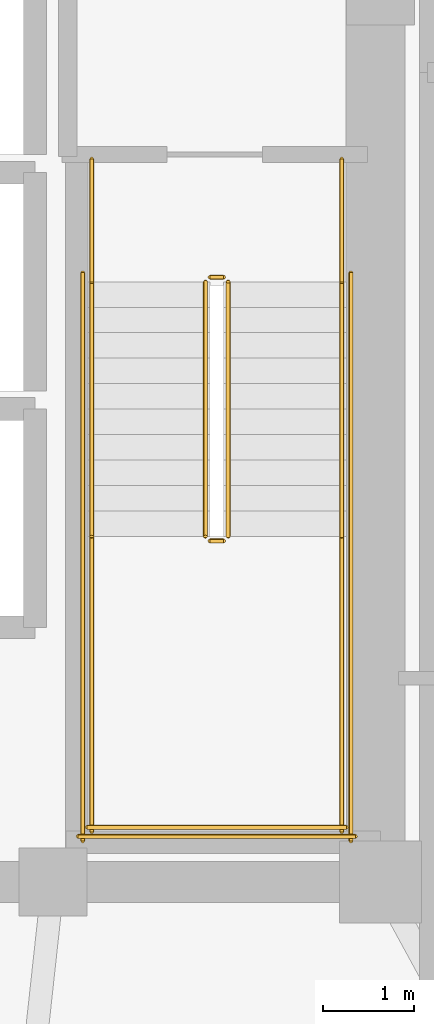
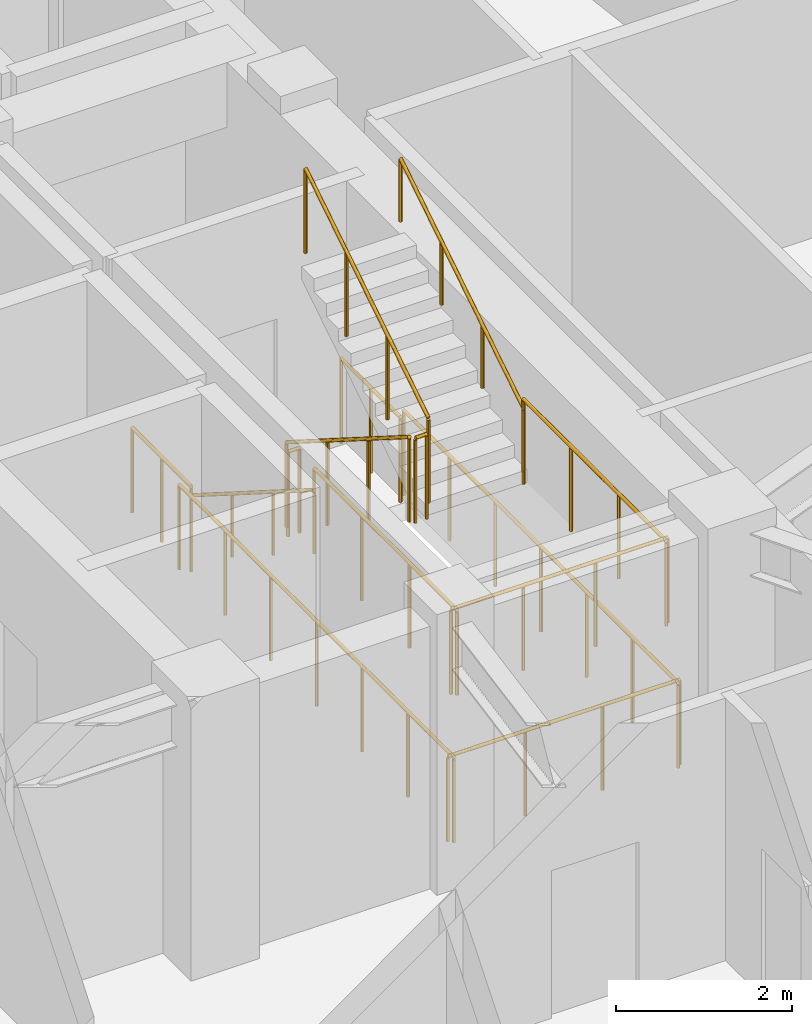
# One storey, part 11 of 11: 14 railings.
"""IFC4 building model written with IfcOpenShell, lengths in metres."""

from ifc_helpers import new_model, si_unit, direction, frame, origin, origin_2d, place, context, subcontext, project, spatial, circle, extrude, material, type_object, element, save


model = new_model("IFC4")

# Units and contexts
model_context = context("Model", 3, precision=1e-05, world=origin(), true_north=direction((0.0, 1.0)))
body_context = subcontext(model_context, "Body", "Model", "MODEL_VIEW")
ifc_project = project(units=[si_unit("LENGTHUNIT", "METRE"), si_unit("AREAUNIT", "SQUARE_METRE"), si_unit("VOLUMEUNIT", "CUBIC_METRE"), si_unit("PLANEANGLEUNIT", "RADIAN"), si_unit("MASSUNIT", "GRAM", prefix="KILO")], contexts=[model_context])

# Site, building, storey
site_placement = place(None, origin())
site = spatial("IfcSite", under=ifc_project, at=site_placement, CompositionType="ELEMENT")
building_placement = place(site_placement, origin())
building = spatial("IfcBuilding", under=site, at=building_placement, Name="Voryun Gate Residences", CompositionType="ELEMENT")
storey_placement = place(building_placement, frame((0.0, 0.0, 156.0)))
storey = spatial("IfcBuildingStorey", under=building, at=storey_placement, Name="L38", CompositionType="ELEMENT", Elevation=156.0)

# Railings
ifc_material_1 = material(Name="Painted steel", Category="steel")
railing_type_1 = type_object("IfcRailingType", Name="RAIL_STAIR_GUARD_1200", PredefinedType="GUARDRAIL", material=ifc_material_1)
railing_1_placement = place(storey_placement, frame((17.27490234375, -0.800048828125, 0.17724609375)))
element("IfcRailing", 1, at=railing_1_placement, inside=storey, type_object=railing_type_1, Name="L38 ST-E1 stair guard 1", PredefinedType="GUARDRAIL", context=body_context, shape_type="SweptSolid", body=[
    extrude(circle(Radius=0.02392578125, at=origin_2d()), frame((0.0, 0.0, 1.17578125), z_axis=(0.0, -0.844908973607, 0.534910110503), x_axis=(1.0, 0.0, 0.0)), (0.0, 0.0, 1.0), 3.31396484375),
    extrude(circle(Radius=0.02099609375, at=origin_2d()), origin(), (0.0, 0.0, 1.0), 1.15185546875),
    extrude(circle(Radius=0.02099609375, at=origin_2d()), frame((0.0, -0.933349609375, 0.5908203125)), (0.0, 0.0, 1.0), 1.15185546875),
    extrude(circle(Radius=0.02099609375, at=origin_2d()), frame((0.0, -1.86669921875, 1.181884765625)), (0.0, 0.0, 1.0), 1.15185546875),
    extrude(circle(Radius=0.02099609375, at=origin_2d()), frame((0.0, -2.800048828125, 1.772705078125)), (0.0, 0.0, 1.0), 1.15185546875),
])
railing_2_placement = place(storey_placement, frame((17.324951171875, -3.64990234375, 1.949951171875)))
element("IfcRailing", 2, at=railing_2_placement, inside=storey, type_object=railing_type_1, Name="L38 ST-E1 stair guard 2", PredefinedType="GUARDRAIL", context=body_context, shape_type="SweptSolid", body=[
    extrude(circle(Radius=0.02392578125, at=origin_2d()), frame((0.0, 0.0, 1.17578125), z_axis=(1.0, 0.0, 0.0), x_axis=(0.0, 1.0, 0.0)), (0.0, 0.0, 1.0), 0.150146484375),
    extrude(circle(Radius=0.02099609375, at=origin_2d()), origin(), (0.0, 0.0, 1.0), 1.15185546875),
    extrude(circle(Radius=0.02099609375, at=origin_2d()), frame((0.150146484375, 0.0, 0.0)), (0.0, 0.0, 1.0), 1.15185546875),
])
for number, where, name in (
    (3, (16.02490234375, -3.60009765625, 1.949951171875), "L38 ST-E1 stair guard 3"),
    (4, (18.77490234375, -3.60009765625, 1.949951171875), "L38 ST-E1 stair guard 4"),
):
    element("IfcRailing", number, at=place(storey_placement, frame(where)), inside=storey, type_object=railing_type_1, Name=name, PredefinedType="GUARDRAIL", context=body_context, shape_type="SweptSolid", body=[
        extrude(circle(Radius=0.02392578125, at=origin_2d()), frame((0.0, 0.0, 1.17578125), z_axis=(0.0, -1.0, 0.0), x_axis=(1.0, 0.0, 0.0)), (0.0, 0.0, 1.0), 3.25),
        extrude(circle(Radius=0.02099609375, at=origin_2d()), origin(), (0.0, 0.0, 1.0), 1.15185546875),
        extrude(circle(Radius=0.02099609375, at=origin_2d()), frame((0.0, -1.083251953125, 0.0)), (0.0, 0.0, 1.0), 1.15185546875),
        extrude(circle(Radius=0.02099609375, at=origin_2d()), frame((0.0, -2.166748046875, 0.0)), (0.0, 0.0, 1.0), 1.15185546875),
        extrude(circle(Radius=0.02099609375, at=origin_2d()), frame((0.0, -3.25, 0.0)), (0.0, 0.0, 1.0), 1.15185546875),
    ])
railing_3_placement = place(storey_placement, frame((15.97509765625, -6.800048828125, 1.949951171875)))
element("IfcRailing", 5, at=railing_3_placement, inside=storey, type_object=railing_type_1, Name="L38 ST-E1 stair guard 5", PredefinedType="GUARDRAIL", context=body_context, shape_type="SweptSolid", body=[
    extrude(circle(Radius=0.02392578125, at=origin_2d()), frame((0.0, 0.0, 1.17578125), z_axis=(1.0, 0.0, 0.0), x_axis=(0.0, 1.0, 0.0)), (0.0, 0.0, 1.0), 2.849853515625),
    extrude(circle(Radius=0.02099609375, at=origin_2d()), origin(), (0.0, 0.0, 1.0), 1.15185546875),
    extrude(circle(Radius=0.02099609375, at=origin_2d()), frame((0.949951171875, 0.0, 0.0)), (0.0, 0.0, 1.0), 1.15185546875),
    extrude(circle(Radius=0.02099609375, at=origin_2d()), frame((1.89990234375, 0.0, 0.0)), (0.0, 0.0, 1.0), 1.15185546875),
    extrude(circle(Radius=0.02099609375, at=origin_2d()), frame((2.849853515625, 0.0, 0.0)), (0.0, 0.0, 1.0), 1.15185546875),
])
railing_4_placement = place(storey_placement, frame((17.52490234375, -3.60009765625, 2.127197265625)))
element("IfcRailing", 6, at=railing_4_placement, inside=storey, type_object=railing_type_1, Name="L38 ST-E1 stair guard 6", PredefinedType="GUARDRAIL", context=body_context, shape_type="SweptSolid", body=[
    extrude(circle(Radius=0.02392578125, at=origin_2d()), frame((0.0, 0.0, 1.17578125), z_axis=(0.0, 0.844908973607, 0.534910110503), x_axis=(-1.0, 0.0, 0.0)), (0.0, 0.0, 1.0), 3.31396484375),
    extrude(circle(Radius=0.02099609375, at=origin_2d()), origin(), (0.0, 0.0, 1.0), 1.15185546875),
    extrude(circle(Radius=0.02099609375, at=origin_2d()), frame((0.0, 0.933349609375, 0.5908203125)), (0.0, 0.0, 1.0), 1.15185546875),
    extrude(circle(Radius=0.02099609375, at=origin_2d()), frame((0.0, 1.86669921875, 1.181884765625)), (0.0, 0.0, 1.0), 1.15185546875),
    extrude(circle(Radius=0.02099609375, at=origin_2d()), frame((0.0, 2.800048828125, 1.772705078125)), (0.0, 0.0, 1.0), 1.15185546875),
])
railing_5_placement = place(storey_placement, frame((17.324951171875, -0.75, 0.0)))
element("IfcRailing", 7, at=railing_5_placement, inside=storey, type_object=railing_type_1, Name="L38 ST-E1 stair guard 7", PredefinedType="GUARDRAIL", context=body_context, shape_type="SweptSolid", body=[
    extrude(circle(Radius=0.02392578125, at=origin_2d()), frame((0.0, 0.0, 1.17578125), z_axis=(1.0, 0.0, 0.0), x_axis=(0.0, 1.0, 0.0)), (0.0, 0.0, 1.0), 0.150146484375),
    extrude(circle(Radius=0.02099609375, at=origin_2d()), origin(), (0.0, 0.0, 1.0), 1.15185546875),
    extrude(circle(Radius=0.02099609375, at=origin_2d()), frame((0.150146484375, 0.0, 0.0)), (0.0, 0.0, 1.0), 1.15185546875),
])
for number, where, name in (
    (8, (16.02490234375, 0.550048828125, 0.0), "L38 ST-E1 stair guard 8"),
    (9, (18.77490234375, 0.550048828125, 0.0), "L38 ST-E1 stair guard 9"),
):
    element("IfcRailing", number, at=place(storey_placement, frame(where)), inside=storey, type_object=railing_type_1, Name=name, PredefinedType="GUARDRAIL", context=body_context, shape_type="SweptSolid", body=[
        extrude(circle(Radius=0.02392578125, at=origin_2d()), frame((0.0, 0.0, 1.17578125), z_axis=(0.0, -1.0, 0.0), x_axis=(1.0, 0.0, 0.0)), (0.0, 0.0, 1.0), 1.35009765625),
        extrude(circle(Radius=0.02099609375, at=origin_2d()), origin(), (0.0, 0.0, 1.0), 1.15185546875),
        extrude(circle(Radius=0.02099609375, at=origin_2d()), frame((0.0, -0.675048828125, 0.0)), (0.0, 0.0, 1.0), 1.15185546875),
        extrude(circle(Radius=0.02099609375, at=origin_2d()), frame((0.0, -1.35009765625, 0.0)), (0.0, 0.0, 1.0), 1.15185546875),
    ])
for number, where, name in (
    (10, (15.925048828125, -0.699951171875, 0.0), "L38 ST-E1 stair guard 10"),
    (11, (18.875, -0.699951171875, 0.0), "L38 ST-E1 stair guard 11"),
):
    element("IfcRailing", number, at=place(storey_placement, frame(where)), inside=storey, type_object=railing_type_1, Name=name, PredefinedType="GUARDRAIL", context=body_context, shape_type="SweptSolid", body=[
        extrude(circle(Radius=0.02392578125, at=origin_2d()), frame((0.0, 0.0, 1.17578125), z_axis=(0.0, -1.0, 0.0), x_axis=(1.0, 0.0, 0.0)), (0.0, 0.0, 1.0), 6.25),
        extrude(circle(Radius=0.02099609375, at=origin_2d()), origin(), (0.0, 0.0, 1.0), 1.15185546875),
        extrude(circle(Radius=0.02099609375, at=origin_2d()), frame((0.0, -1.041748046875, 0.0)), (0.0, 0.0, 1.0), 1.15185546875),
        extrude(circle(Radius=0.02099609375, at=origin_2d()), frame((0.0, -2.083251953125, 0.0)), (0.0, 0.0, 1.0), 1.15185546875),
        extrude(circle(Radius=0.02099609375, at=origin_2d()), frame((0.0, -3.125, 0.0)), (0.0, 0.0, 1.0), 1.15185546875),
        extrude(circle(Radius=0.02099609375, at=origin_2d()), frame((0.0, -4.166748046875, 0.0)), (0.0, 0.0, 1.0), 1.15185546875),
        extrude(circle(Radius=0.02099609375, at=origin_2d()), frame((0.0, -5.208251953125, 0.0)), (0.0, 0.0, 1.0), 1.15185546875),
        extrude(circle(Radius=0.02099609375, at=origin_2d()), frame((0.0, -6.25, 0.0)), (0.0, 0.0, 1.0), 1.15185546875),
    ])
railing_6_placement = place(storey_placement, frame((15.875, -6.89990234375, 0.0)))
element("IfcRailing", 12, at=railing_6_placement, inside=storey, type_object=railing_type_1, Name="L38 ST-E1 stair guard 12", PredefinedType="GUARDRAIL", context=body_context, shape_type="SweptSolid", body=[
    extrude(circle(Radius=0.02392578125, at=origin_2d()), frame((0.0, 0.0, 1.17578125), z_axis=(1.0, 0.0, 0.0), x_axis=(0.0, 1.0, 0.0)), (0.0, 0.0, 1.0), 3.050048828125),
    extrude(circle(Radius=0.02099609375, at=origin_2d()), origin(), (0.0, 0.0, 1.0), 1.15185546875),
    extrude(circle(Radius=0.02099609375, at=origin_2d()), frame((1.0166015625, 0.0, 0.0)), (0.0, 0.0, 1.0), 1.15185546875),
    extrude(circle(Radius=0.02099609375, at=origin_2d()), frame((2.033447265625, 0.0, 0.0)), (0.0, 0.0, 1.0), 1.15185546875),
    extrude(circle(Radius=0.02099609375, at=origin_2d()), frame((3.050048828125, 0.0, 0.0)), (0.0, 0.0, 1.0), 1.15185546875),
])
ifc_material_2 = material(Name="Painted steel", Category="steel")
railing_type_2 = type_object("IfcRailingType", Name="RAIL_STAIR_HANDRAIL_900", PredefinedType="HANDRAIL", material=ifc_material_2)
railing_7_placement = place(storey_placement, frame((16.02490234375, -0.800048828125, 0.17724609375)))
element("IfcRailing", 13, at=railing_7_placement, inside=storey, type_object=railing_type_2, Name="L38 ST-E1 stair handrail 1", PredefinedType="HANDRAIL", context=body_context, shape_type="SweptSolid", body=[
    extrude(circle(Radius=0.02392578125, at=origin_2d()), frame((0.0, 0.0, 0.8759765625), z_axis=(0.0, -0.844908973607, 0.534910110503), x_axis=(1.0, 0.0, 0.0)), (0.0, 0.0, 1.0), 3.31396484375),
    extrude(circle(Radius=0.02099609375, at=origin_2d()), origin(), (0.0, 0.0, 1.0), 0.851806640625),
    extrude(circle(Radius=0.02099609375, at=origin_2d()), frame((0.0, -0.933349609375, 0.5908203125)), (0.0, 0.0, 1.0), 0.851806640625),
    extrude(circle(Radius=0.02099609375, at=origin_2d()), frame((0.0, -1.86669921875, 1.181884765625)), (0.0, 0.0, 1.0), 0.851806640625),
    extrude(circle(Radius=0.02099609375, at=origin_2d()), frame((0.0, -2.800048828125, 1.772705078125)), (0.0, 0.0, 1.0), 0.851806640625),
])
railing_8_placement = place(storey_placement, frame((18.77490234375, -3.60009765625, 2.127197265625)))
element("IfcRailing", 14, at=railing_8_placement, inside=storey, type_object=railing_type_2, Name="L38 ST-E1 stair handrail 2", PredefinedType="HANDRAIL", context=body_context, shape_type="SweptSolid", body=[
    extrude(circle(Radius=0.02392578125, at=origin_2d()), frame((0.0, 0.0, 0.8759765625), z_axis=(0.0, 0.844908973607, 0.534910110503), x_axis=(-1.0, 0.0, 0.0)), (0.0, 0.0, 1.0), 3.31396484375),
    extrude(circle(Radius=0.02099609375, at=origin_2d()), origin(), (0.0, 0.0, 1.0), 0.851806640625),
    extrude(circle(Radius=0.02099609375, at=origin_2d()), frame((0.0, 0.933349609375, 0.5908203125)), (0.0, 0.0, 1.0), 0.851806640625),
    extrude(circle(Radius=0.02099609375, at=origin_2d()), frame((0.0, 1.86669921875, 1.181884765625)), (0.0, 0.0, 1.0), 0.851806640625),
    extrude(circle(Radius=0.02099609375, at=origin_2d()), frame((0.0, 2.800048828125, 1.772705078125)), (0.0, 0.0, 1.0), 0.851806640625),
])

save(model, "model.ifc")
